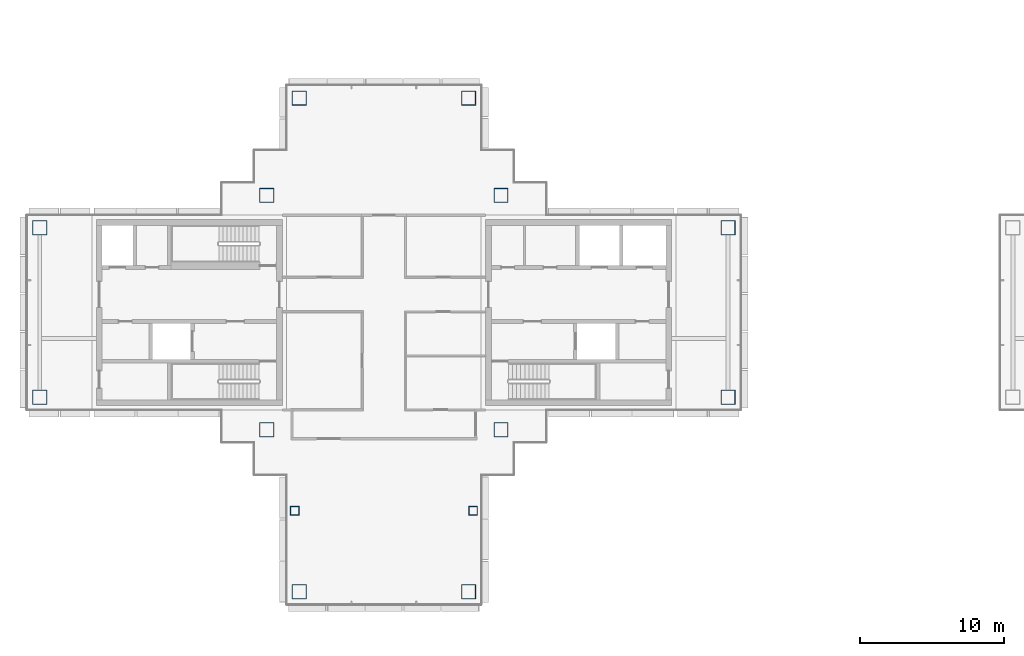
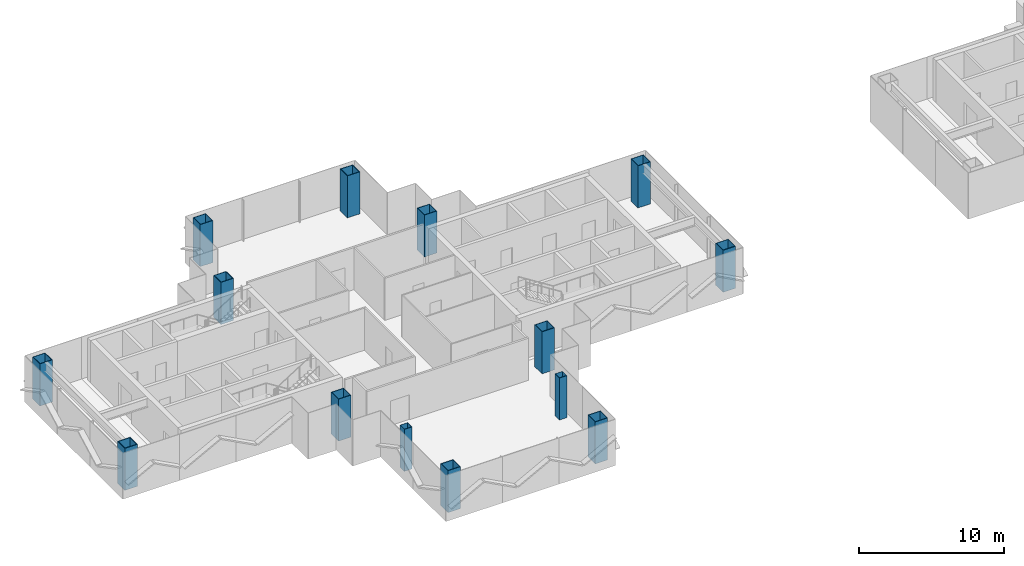
# One storey, part 1 of 17: 14 columns.
"""IFC4 building model written with IfcOpenShell, lengths in metres."""

from ifc_helpers import new_model, si_unit, direction, frame, origin, origin_2d, place, context, subcontext, project, spatial, hollow_rectangle, extrude, material, material_profile, profile_set, type_object, element, save


model = new_model("IFC4")

# Units and contexts
model_context = context("Model", 3, precision=1e-05, world=origin(), true_north=direction((0.0, 1.0)))
body_context = subcontext(model_context, "Body", "Model", "MODEL_VIEW")
ifc_project = project(units=[si_unit("LENGTHUNIT", "METRE"), si_unit("AREAUNIT", "SQUARE_METRE"), si_unit("VOLUMEUNIT", "CUBIC_METRE"), si_unit("PLANEANGLEUNIT", "RADIAN"), si_unit("MASSUNIT", "GRAM", prefix="KILO")], contexts=[model_context])

# Site, building, storey
site_placement = place(None, origin())
site = spatial("IfcSite", under=ifc_project, at=site_placement, CompositionType="ELEMENT")
building_placement = place(site_placement, origin())
building = spatial("IfcBuilding", under=site, at=building_placement, Name="Shamsa Quay Exchange Towers", CompositionType="ELEMENT")
storey_placement = place(building_placement, frame((0.0, 0.0, 194.39990234375)))
storey = spatial("IfcBuildingStorey", under=building, at=storey_placement, Name="L46", CompositionType="ELEMENT", Elevation=194.39990234375)

# Columns
ifc_material_1 = material(Name="Concrete-filled steel tube S355 / C80/95", Category="concrete")
ifc_material_profile_1 = material_profile(ifc_material_1, hollow_rectangle(XDim=1.0, YDim=1.0, WallThickness=0.0400390625, at=origin_2d()), Name="CFT 1000x1000x40")
ifc_profile_set_1 = profile_set([ifc_material_profile_1], Name="Concrete-filled steel tube S355 / C80/95")
column_type_1 = type_object("IfcColumnType", Name="Column CFT 1000x1000x40", PredefinedType="COLUMN", material=ifc_profile_set_1)
for number, where, name in (
    (1, (-25.625, 8.125, 0.0), "Mega column T1-CM01"),
    (2, (-25.625, -8.125, 0.0), "Mega column T1-CM02"),
    (3, (-41.875, 8.125, 0.0), "Mega column T1-CM03"),
    (4, (-41.875, -8.125, 0.0), "Mega column T1-CM04"),
    (5, (-9.875, -5.875, 0.0), "Mega column T1-CM05"),
    (6, (-9.875, 5.875, 0.0), "Mega column T1-CM07"),
    (7, (-57.625, -5.875, 0.0), "Mega column T1-CM09"),
    (8, (-57.625, 5.875, 0.0), "Mega column T1-CM11"),
    (9, (-39.625, 14.875, 0.0), "Mega column T1-CM13"),
    (10, (-27.875, 14.875, 0.0), "Mega column T1-CM16"),
    (11, (-39.625, -19.375, 0.0), "Mega column T1-CM20"),
    (12, (-27.875, -19.375, 0.0), "Mega column T1-CM23"),
):
    element("IfcColumn", number, at=place(storey_placement, frame(where)), inside=storey, type_object=column_type_1, Name=name, PredefinedType="COLUMN", context=body_context, shape_type="SweptSolid", body=[
        extrude(hollow_rectangle(XDim=1.0, YDim=1.0, WallThickness=0.0400390625, at=origin_2d()), origin(), (0.0, 0.0, 1.0), 3.550048828125),
    ])
ifc_material_2 = material(Name="Concrete-filled steel tube S355 / C60/75", Category="concrete")
ifc_material_profile_2 = material_profile(ifc_material_2, hollow_rectangle(XDim=0.60009765625, YDim=0.60009765625, WallThickness=0.02001953125, at=origin_2d()), Name="CFT 600x600x20")
ifc_profile_set_2 = profile_set([ifc_material_profile_2], Name="Concrete-filled steel tube S355 / C60/75")
column_type_2 = type_object("IfcColumnType", Name="Column CFT 600x600x20", PredefinedType="COLUMN", material=ifc_profile_set_2)
for number, where, name in (
    (13, (-39.9375, -13.75, 0.0), "Perimeter column T1-CP19"),
    (14, (-27.5625, -13.75, 0.0), "Perimeter column T1-CP22"),
):
    element("IfcColumn", number, at=place(storey_placement, frame(where)), inside=storey, type_object=column_type_2, Name=name, PredefinedType="COLUMN", context=body_context, shape_type="SweptSolid", body=[
        extrude(hollow_rectangle(XDim=0.60009765625, YDim=0.60009765625, WallThickness=0.02001953125, at=origin_2d()), origin(), (0.0, 0.0, 1.0), 3.550048828125),
    ])

save(model, "model.ifc")
